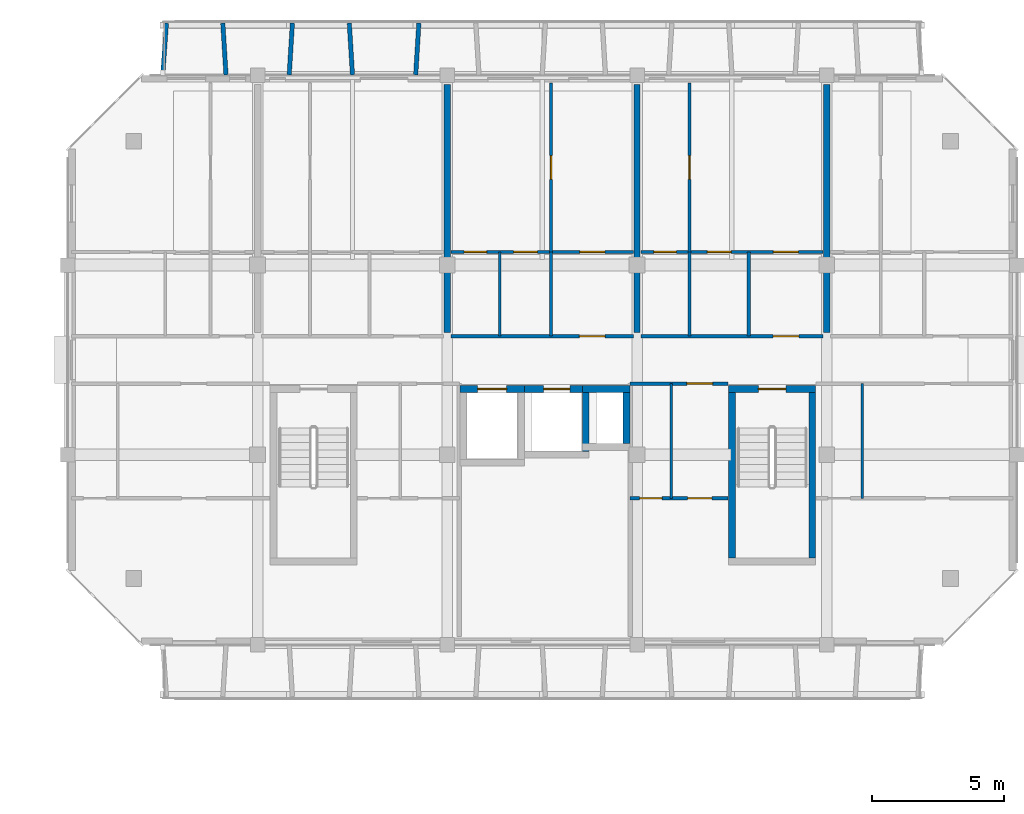
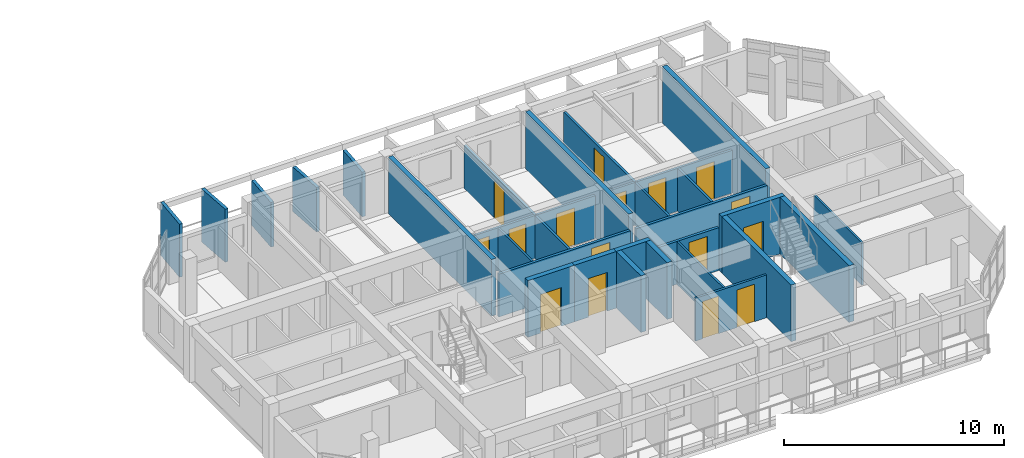
# One storey, part 34 of 51: 30 walls, 16 doors, 16 openings.
"""IFC4 building model written with IfcOpenShell, lengths in metres."""

from ifc_helpers import new_model, si_unit, direction, frame, frame_2d, origin, place, context, subcontext, project, spatial, rectangle, extrude, material, layer, layer_set, type_object, element, fill, save


model = new_model("IFC4")

# Units and contexts
model_context = context("Model", 3, precision=1e-05, world=origin(), true_north=direction((0.0, 1.0)))
body_context = subcontext(model_context, "Body", "Model", "MODEL_VIEW")
ifc_project = project(units=[si_unit("LENGTHUNIT", "METRE"), si_unit("AREAUNIT", "SQUARE_METRE"), si_unit("VOLUMEUNIT", "CUBIC_METRE"), si_unit("PLANEANGLEUNIT", "RADIAN"), si_unit("MASSUNIT", "GRAM", prefix="KILO")], contexts=[model_context])

# Site, building, storey
site_placement = place(None, origin())
site = spatial("IfcSite", under=ifc_project, at=site_placement, CompositionType="ELEMENT")
building_placement = place(site_placement, origin())
building = spatial("IfcBuilding", under=site, at=building_placement, Name="Ochrevale Crest", CompositionType="ELEMENT")
storey_placement = place(building_placement, frame((0.0, 0.0, 11.85009765625)))
storey = spatial("IfcBuildingStorey", under=building, at=storey_placement, Name="L03", CompositionType="ELEMENT", Elevation=11.85009765625)

# Wall, opening, door
ifc_material_1 = material(Name="Gypsum plasterboard", Category="gypsum")
ifc_layer_1 = layer(ifc_material_1, 0.139892578125)
ifc_layer_set_1 = layer_set([ifc_layer_1], Name="Gypsum plasterboard")
wall_type_1 = type_object("IfcWallType", Name="WL-COR-140", PredefinedType="PARTITIONING", material=ifc_layer_set_1)
wall_1_placement = place(storey_placement, frame((144.139892578125, 83.699951171875, 0.0), z_axis=(0.0, 0.0, 1.0), x_axis=(1.0, 0.0, 0.0)))
wall_1 = element("IfcWall", 1, at=wall_1_placement, inside=storey, type_object=wall_type_1, Name="Apartment D-L03-U3 corridor wall", PredefinedType="PARTITIONING", context=body_context, shape_type="SweptSolid", body=[
    extrude(rectangle(XDim=6.920166015625, YDim=0.139892578125, at=frame_2d((3.4599609375, 0.0))), origin(), (0.0, 0.0, 1.0), 2.3798828125),
])
opening_1_placement = place(wall_1_placement, frame((5.85009765625, 0.0, 0.0), z_axis=(0.0, 0.0, 1.0), x_axis=(-1.0, 0.0, 0.0)))
opening_1 = element("IfcOpeningElement", 2, at=opening_1_placement, cuts=wall_1, Name="Opening FD01", PredefinedType="OPENING", context=body_context, shape_type="SweptSolid", body=[
    extrude(rectangle(XDim=0.97998046875, YDim=2.10009765625, at=frame_2d((0.489990234375, 1.050048828125))), frame((0.0, 0.080078125, 0.0), z_axis=(0.0, -1.0, 0.0), x_axis=(1.0, 0.0, 0.0)), (0.0, 0.0, 1.0), 0.159912109375),
])
ifc_material_2 = material(Name="Solid-core FSC hardwood", Category="wood")
door_type_1 = type_object("IfcDoorType", Name="DR-APT-950", OperationType="NOTDEFINED", PredefinedType="DOOR", material=ifc_material_2)
door_1_placement = place(opening_1_placement, origin())
door_1 = element("IfcDoor", 3, at=door_1_placement, inside=storey, type_object=door_type_1, Name="Apartment D-L03-U3 entrance door", OperationType="SINGLE_SWING_RIGHT", OverallHeight=2.10009765625, OverallWidth=0.97998046875, PredefinedType="DOOR", context=body_context, shape_type="SweptSolid", body=[
    extrude(rectangle(XDim=0.97998046875, YDim=2.10009765625, at=frame_2d((0.489990234375, 1.050048828125))), frame((0.0, 0.02490234375, 0.0), z_axis=(0.0, -1.0, 0.0), x_axis=(1.0, 0.0, 0.0)), (0.0, 0.0, 1.0), 0.050048828125),
])
fill(opening_1, door_1)

wall_2_placement = place(storey_placement, frame((151.340087890625, 83.699951171875, 0.0), z_axis=(0.0, 0.0, 1.0), x_axis=(1.0, 0.0, 0.0)))
wall_2 = element("IfcWall", 4, at=wall_2_placement, inside=storey, type_object=wall_type_1, Name="Apartment D-L03-U4 corridor wall", PredefinedType="PARTITIONING", context=body_context, shape_type="SweptSolid", body=[
    extrude(rectangle(XDim=6.919921875, YDim=0.139892578125, at=frame_2d((3.4599609375, 0.0))), origin(), (0.0, 0.0, 1.0), 2.3798828125),
])
opening_2_placement = place(wall_2_placement, frame((5.02001953125, 0.0, 0.0)))
opening_2 = element("IfcOpeningElement", 5, at=opening_2_placement, cuts=wall_2, Name="Opening FD01", PredefinedType="OPENING", context=body_context, shape_type="SweptSolid", body=[
    extrude(rectangle(XDim=0.97998046875, YDim=2.10009765625, at=frame_2d((0.489990234375, 1.050048828125))), frame((0.0, 0.080078125, 0.0), z_axis=(0.0, -1.0, 0.0), x_axis=(1.0, 0.0, 0.0)), (0.0, 0.0, 1.0), 0.159912109375),
])
door_2_placement = place(opening_2_placement, origin())
door_2 = element("IfcDoor", 6, at=door_2_placement, inside=storey, type_object=door_type_1, Name="Apartment D-L03-U4 entrance door", OperationType="SINGLE_SWING_LEFT", OverallHeight=2.10009765625, OverallWidth=0.97998046875, PredefinedType="DOOR", context=body_context, shape_type="SweptSolid", body=[
    extrude(rectangle(XDim=0.97998046875, YDim=2.10009765625, at=frame_2d((0.489990234375, 1.050048828125))), frame((0.0, 0.02490234375, 0.0), z_axis=(0.0, -1.0, 0.0), x_axis=(1.0, 0.0, 0.0)), (0.0, 0.0, 1.0), 0.050048828125),
])
fill(opening_2, door_2)

wall_3_placement = place(storey_placement, frame((150.93994140625, 81.89990234375, 0.0), z_axis=(0.0, 0.0, 1.0), x_axis=(1.0, 0.0, 0.0)))
wall_3 = element("IfcWall", 7, at=wall_3_placement, inside=storey, type_object=wall_type_1, Name="Suite D-L03-ME corridor wall", PredefinedType="PARTITIONING", context=body_context, shape_type="SweptSolid", body=[
    extrude(rectangle(XDim=3.719970703125, YDim=0.139892578125, at=frame_2d((1.85986328125, 0.0))), origin(), (0.0, 0.0, 1.0), 2.3798828125),
])
opening_3_placement = place(wall_3_placement, frame((2.151123046875, 0.0, 0.0)))
opening_3 = element("IfcOpeningElement", 8, at=opening_3_placement, cuts=wall_3, Name="Opening FD01", PredefinedType="OPENING", context=body_context, shape_type="SweptSolid", body=[
    extrude(rectangle(XDim=0.97998046875, YDim=2.10009765625, at=frame_2d((0.489990234375, 1.050048828125))), frame((0.0, 0.080078125, 0.0), z_axis=(0.0, -1.0, 0.0), x_axis=(1.0, 0.0, 0.0)), (0.0, 0.0, 1.0), 0.159912109375),
])
door_3_placement = place(opening_3_placement, origin())
door_3 = element("IfcDoor", 9, at=door_3_placement, inside=storey, type_object=door_type_1, Name="Suite D-L03-ME entrance door", OperationType="SINGLE_SWING_LEFT", OverallHeight=2.10009765625, OverallWidth=0.97998046875, PredefinedType="DOOR", context=body_context, shape_type="SweptSolid", body=[
    extrude(rectangle(XDim=0.97998046875, YDim=2.10009765625, at=frame_2d((0.489990234375, 1.050048828125))), frame((0.0, 0.02490234375, 0.0), z_axis=(0.0, -1.0, 0.0), x_axis=(1.0, 0.0, 0.0)), (0.0, 0.0, 1.0), 0.050048828125),
])
fill(opening_3, door_3)

ifc_material_3 = material(Name="Precast concrete C50/60", Category="concrete")
ifc_layer_2 = layer(ifc_material_3, 0.2548828125)
ifc_layer_set_2 = layer_set([ifc_layer_2], Name="Precast concrete C50/60")
wall_type_2 = type_object("IfcWallType", Name="WL-CORE-255", PredefinedType="SHEAR", material=ifc_layer_set_2)
wall_4_placement = place(storey_placement, frame((154.672607421875, 81.699951171875, 0.0), z_axis=(0.0, 0.0, 1.0), x_axis=(1.0, 0.0, 0.0)))
wall_4 = element("IfcWall", 10, at=wall_4_placement, inside=storey, type_object=wall_type_2, Name="Block D L03 Stair 2 precast core shear wall N", PredefinedType="SHEAR", context=body_context, shape_type="SweptSolid", body=[
    extrude(rectangle(XDim=3.304931640625, YDim=0.2548828125, at=frame_2d((1.65234375, 0.0))), origin(), (0.0, 0.0, 1.0), 3.14990234375),
])
opening_4_placement = place(wall_4_placement, frame((1.12744140625, 0.0, 0.0)))
opening_4 = element("IfcOpeningElement", 11, at=opening_4_placement, cuts=wall_4, Name="Opening FD03", PredefinedType="OPENING", context=body_context, shape_type="SweptSolid", body=[
    extrude(rectangle(XDim=1.050048828125, YDim=2.1201171875, at=frame_2d((0.52490234375, 1.06005859375))), frame((0.0, 0.137451171875, 0.0), z_axis=(0.0, -1.0, 0.0), x_axis=(1.0, 0.0, 0.0)), (0.0, 0.0, 1.0), 0.27490234375),
])
door_type_2 = type_object("IfcDoorType", Name="DR-ST-1050", OperationType="NOTDEFINED", PredefinedType="DOOR", material=ifc_material_2)
door_4_placement = place(opening_4_placement, origin())
door_4 = element("IfcDoor", 12, at=door_4_placement, inside=storey, type_object=door_type_2, Name="Block D L03 fire stair 2 door", OperationType="SINGLE_SWING_LEFT", OverallHeight=2.1201171875, OverallWidth=1.050048828125, PredefinedType="DOOR", context=body_context, shape_type="SweptSolid", body=[
    extrude(rectangle(XDim=1.050048828125, YDim=2.1201171875, at=frame_2d((0.52490234375, 1.06005859375))), frame((0.0, 0.02490234375, 0.0), z_axis=(0.0, -1.0, 0.0), x_axis=(1.0, 0.0, 0.0)), (0.0, 0.0, 1.0), 0.050048828125),
])
fill(opening_4, door_4)

# Walls
for number, where, z_axis, x_axis, name in (
    (13, (154.800048828125, 75.277587890625, 0.0), (0.0, 0.0, 1.0), (0.0, 1.0, 0.0), "Block D L03 Stair 2 precast core shear wall W"),
    (14, (157.85009765625, 75.277587890625, 0.0), (0.0, 0.0, 1.0), (0.0, 1.0, 0.0), "Block D L03 Stair 2 precast core shear wall E"),
):
    element("IfcWall", number, at=place(storey_placement, frame(where, z_axis=z_axis, x_axis=x_axis)), inside=storey, type_object=wall_type_2, Name=name, PredefinedType="SHEAR", context=body_context, shape_type="SweptSolid", body=[
        extrude(rectangle(XDim=6.294921875, YDim=0.2548828125, at=frame_2d((3.1474609375, 0.0))), origin(), (0.0, 0.0, 1.0), 3.14990234375),
    ])

# Wall, opening, door
wall_5_placement = place(storey_placement, frame((144.472412109375, 81.699951171875, 0.0), z_axis=(0.0, 0.0, 1.0), x_axis=(1.0, 0.0, 0.0)))
wall_5 = element("IfcWall", 15, at=wall_5_placement, inside=storey, type_object=wall_type_2, Name="Block D L03 Lift 1 precast shaft shear wall N", PredefinedType="SHEAR", context=body_context, shape_type="SweptSolid", body=[
    extrude(rectangle(XDim=2.455078125, YDim=0.2548828125, at=frame_2d((1.2275390625, 0.0))), origin(), (0.0, 0.0, 1.0), 3.14990234375),
])
opening_5_placement = place(wall_5_placement, frame((0.677490234375, 0.0, 0.0)))
opening_5 = element("IfcOpeningElement", 16, at=opening_5_placement, cuts=wall_5, Name="Opening LD01", PredefinedType="OPENING", context=body_context, shape_type="SweptSolid", body=[
    extrude(rectangle(XDim=1.10009765625, YDim=2.14990234375, at=frame_2d((0.550048828125, 1.074951171875))), frame((0.0, 0.137451171875, 0.0), z_axis=(0.0, -1.0, 0.0), x_axis=(1.0, 0.0, 0.0)), (0.0, 0.0, 1.0), 0.27490234375),
])
door_type_3 = type_object("IfcDoorType", Name="DR-LIFT-1100", OperationType="NOTDEFINED", PredefinedType="DOOR", material=ifc_material_2)
door_5_placement = place(opening_5_placement, origin())
door_5 = element("IfcDoor", 17, at=door_5_placement, inside=storey, type_object=door_type_3, Name="Lift LF-D1 L03 sliding landing door", OperationType="SLIDING_TO_LEFT", OverallHeight=2.14990234375, OverallWidth=1.10009765625, PredefinedType="DOOR", context=body_context, shape_type="SweptSolid", body=[
    extrude(rectangle(XDim=1.10009765625, YDim=2.14990234375, at=frame_2d((0.550048828125, 1.074951171875))), frame((0.0, 0.02490234375, 0.0), z_axis=(0.0, -1.0, 0.0), x_axis=(1.0, 0.0, 0.0)), (0.0, 0.0, 1.0), 0.050048828125),
])
fill(opening_5, door_5)

wall_6_placement = place(storey_placement, frame((146.922607421875, 81.699951171875, 0.0), z_axis=(0.0, 0.0, 1.0), x_axis=(1.0, 0.0, 0.0)))
wall_6 = element("IfcWall", 18, at=wall_6_placement, inside=storey, type_object=wall_type_2, Name="Block D L03 Lift 2 precast shaft shear wall N", PredefinedType="SHEAR", context=body_context, shape_type="SweptSolid", body=[
    extrude(rectangle(XDim=2.454833984375, YDim=0.2548828125, at=frame_2d((1.2275390625, 0.0))), origin(), (0.0, 0.0, 1.0), 3.14990234375),
])
opening_6_placement = place(wall_6_placement, frame((0.7275390625, 0.0, 0.0)))
opening_6 = element("IfcOpeningElement", 19, at=opening_6_placement, cuts=wall_6, Name="Opening LD02", PredefinedType="OPENING", context=body_context, shape_type="SweptSolid", body=[
    extrude(rectangle(XDim=1.0, YDim=2.14990234375, at=frame_2d((0.5, 1.074951171875))), frame((0.0, 0.137451171875, 0.0), z_axis=(0.0, -1.0, 0.0), x_axis=(1.0, 0.0, 0.0)), (0.0, 0.0, 1.0), 0.27490234375),
])
door_type_4 = type_object("IfcDoorType", Name="DR-LIFT-1000", OperationType="NOTDEFINED", PredefinedType="DOOR", material=ifc_material_2)
door_6_placement = place(opening_6_placement, origin())
door_6 = element("IfcDoor", 20, at=door_6_placement, inside=storey, type_object=door_type_4, Name="Lift LP-D2 L03 sliding landing door", OperationType="SLIDING_TO_RIGHT", OverallHeight=2.14990234375, OverallWidth=1.0, PredefinedType="DOOR", context=body_context, shape_type="SweptSolid", body=[
    extrude(rectangle(XDim=1.0, YDim=2.14990234375, at=frame_2d((0.5, 1.074951171875))), frame((0.0, 0.02490234375, 0.0), z_axis=(0.0, -1.0, 0.0), x_axis=(1.0, 0.0, 0.0)), (0.0, 0.0, 1.0), 0.050048828125),
])
fill(opening_6, door_6)

# Walls
wall_7_placement = place(storey_placement, frame((149.25, 79.327392578125, 0.0), z_axis=(0.0, 0.0, 1.0), x_axis=(0.0, 1.0, 0.0)))
element("IfcWall", 21, at=wall_7_placement, inside=storey, type_object=wall_type_2, Name="Block D L03 Lift 2 precast shaft shear wall E", PredefinedType="SHEAR", context=body_context, shape_type="SweptSolid", body=[
    extrude(rectangle(XDim=2.2451171875, YDim=0.2548828125, at=frame_2d((1.12255859375, 0.0))), origin(), (0.0, 0.0, 1.0), 3.14990234375),
])
wall_8_placement = place(storey_placement, frame((149.12255859375, 81.699951171875, 0.0), z_axis=(0.0, 0.0, 1.0), x_axis=(1.0, 0.0, 0.0)))
element("IfcWall", 22, at=wall_8_placement, inside=storey, type_object=wall_type_2, Name="Block D L03 services riser shaft core wall N", PredefinedType="SHEAR", context=body_context, shape_type="SweptSolid", body=[
    extrude(rectangle(XDim=1.804931640625, YDim=0.2548828125, at=frame_2d((0.90234375, 0.0))), origin(), (0.0, 0.0, 1.0), 3.14990234375),
])
wall_9_placement = place(storey_placement, frame((150.800048828125, 79.62744140625, 0.0), z_axis=(0.0, 0.0, 1.0), x_axis=(0.0, 1.0, 0.0)))
element("IfcWall", 23, at=wall_9_placement, inside=storey, type_object=wall_type_2, Name="Block D L03 services riser shaft core wall E", PredefinedType="SHEAR", context=body_context, shape_type="SweptSolid", body=[
    extrude(rectangle(XDim=1.945068359375, YDim=0.2548828125, at=frame_2d((0.97265625, 0.0))), origin(), (0.0, 0.0, 1.0), 3.14990234375),
])
ifc_material_4 = material(Name="Precast concrete C40/50", Category="concrete")
ifc_layer_3 = layer(ifc_material_4, 0.1650390625)
ifc_layer_set_3 = layer_set([ifc_layer_3], Name="Precast concrete C40/50")
wall_type_3 = type_object("IfcWallType", Name="WL-HC-CHEEK-165", PredefinedType="ELEMENTEDWALL", material=ifc_layer_set_3)
wall_10_placement = place(storey_placement, frame((133.199951171875, 93.6201171875, 0.0), z_axis=(0.0, 0.0, 1.0), x_axis=(0.071317687608, 0.997453651772, 0.0)))
element("IfcWall", 24, at=wall_10_placement, inside=storey, type_object=wall_type_3, Name="Block D L03 N precast honeycomb cheek 1", PredefinedType="ELEMENTEDWALL", context=body_context, shape_type="SweptSolid", body=[
    extrude(rectangle(XDim=1.96484375, YDim=0.1650390625, at=frame_2d((0.982421875, 0.0))), origin(), (0.0, 0.0, 1.0), 2.949951171875),
])
wall_11_placement = place(storey_placement, frame((135.60009765625, 93.6201171875, 0.0), z_axis=(0.0, 0.0, 1.0), x_axis=(-0.061170732449, 0.998127317276, 0.0)))
element("IfcWall", 25, at=wall_11_placement, inside=storey, type_object=wall_type_3, Name="Block D L03 N precast honeycomb cheek 2", PredefinedType="ELEMENTEDWALL", context=body_context, shape_type="SweptSolid", body=[
    extrude(rectangle(XDim=1.963623046875, YDim=0.1650390625, at=frame_2d((0.98193359375, 0.0))), origin(), (0.0, 0.0, 1.0), 2.949951171875),
])
for number, where, z_axis, x_axis, name in (
    (26, (138.0, 93.6201171875, 0.0), (0.0, 0.0, 1.0), (0.061170732449, 0.998127317276, 0.0), "Block D L03 N precast honeycomb cheek 3"),
    (27, (140.39990234375, 93.6201171875, 0.0), (0.0, 0.0, 1.0), (-0.061046865508, 0.998134900808, 0.0), "Block D L03 N precast honeycomb cheek 4"),
    (28, (142.800048828125, 93.6201171875, 0.0), (0.0, 0.0, 1.0), (0.061046865508, 0.998134900808, 0.0), "Block D L03 N precast honeycomb cheek 5"),
):
    element("IfcWall", number, at=place(storey_placement, frame(where, z_axis=z_axis, x_axis=x_axis)), inside=storey, type_object=wall_type_3, Name=name, PredefinedType="ELEMENTEDWALL", context=body_context, shape_type="SweptSolid", body=[
        extrude(rectangle(XDim=1.963623046875, YDim=0.1650390625, at=frame_2d((0.98193359375, 0.0))), origin(), (0.0, 0.0, 1.0), 2.47998046875),
    ])
ifc_layer_4 = layer(ifc_material_1, 0.1201171875)
ifc_layer_set_4 = layer_set([ifc_layer_4], Name="Gypsum plasterboard")
wall_type_4 = type_object("IfcWallType", Name="WL-PART-120", PredefinedType="PARTITIONING", material=ifc_layer_set_4)
wall_12_placement = place(storey_placement, frame((147.93994140625, 83.699951171875, 0.0), z_axis=(0.0, 0.0, 1.0), x_axis=(0.0, 1.0, 0.0)))
element("IfcWall", 29, at=wall_12_placement, inside=storey, type_object=wall_type_4, Name="Apartment D-L03-U3 kitchen-foyer wall", PredefinedType="PARTITIONING", context=body_context, shape_type="SweptSolid", body=[
    extrude(rectangle(XDim=3.199951171875, YDim=0.1201171875, at=frame_2d((1.60009765625, 0.0))), origin(), (0.0, 0.0, 1.0), 2.375),
])

# Wall, openings, doors
wall_13_placement = place(storey_placement, frame((144.139892578125, 86.89990234375, 0.0), z_axis=(0.0, 0.0, 1.0), x_axis=(1.0, 0.0, 0.0)))
wall_13 = element("IfcWall", 30, at=wall_13_placement, inside=storey, type_object=wall_type_4, Name="Apartment D-L03-U3 central partition", PredefinedType="PARTITIONING", context=body_context, shape_type="SweptSolid", body=[
    extrude(rectangle(XDim=6.920166015625, YDim=0.1201171875, at=frame_2d((3.4599609375, 0.0))), origin(), (0.0, 0.0, 1.0), 2.3798828125),
])
opening_7_placement = place(wall_13_placement, frame((0.5, 0.0, 0.0)))
opening_7 = element("IfcOpeningElement", 31, at=opening_7_placement, cuts=wall_13, Name="Opening ID01", PredefinedType="OPENING", context=body_context, shape_type="SweptSolid", body=[
    extrude(rectangle(XDim=0.85009765625, YDim=2.080078125, at=frame_2d((0.425048828125, 1.0400390625))), frame((0.0, 0.070068359375, 0.0), z_axis=(0.0, -1.0, 0.0), x_axis=(1.0, 0.0, 0.0)), (0.0, 0.0, 1.0), 0.14013671875),
])
opening_8_placement = place(wall_13_placement, frame((3.27490234375, 0.0, 0.0), z_axis=(0.0, 0.0, 1.0), x_axis=(-1.0, 0.0, 0.0)))
opening_8 = element("IfcOpeningElement", 32, at=opening_8_placement, cuts=wall_13, Name="Opening ID02", PredefinedType="OPENING", context=body_context, shape_type="SweptSolid", body=[
    extrude(rectangle(XDim=0.89990234375, YDim=2.080078125, at=frame_2d((0.449951171875, 1.0400390625))), frame((0.0, 0.070068359375, 0.0), z_axis=(0.0, -1.0, 0.0), x_axis=(1.0, 0.0, 0.0)), (0.0, 0.0, 1.0), 0.14013671875),
])
opening_9_placement = place(wall_13_placement, frame((4.885009765625, 0.0, 0.0)))
opening_9 = element("IfcOpeningElement", 33, at=opening_9_placement, cuts=wall_13, Name="Opening ID06", PredefinedType="OPENING", context=body_context, shape_type="SweptSolid", body=[
    extrude(rectangle(XDim=0.949951171875, YDim=2.080078125, at=frame_2d((0.47509765625, 1.0400390625))), frame((0.0, 0.070068359375, 0.0), z_axis=(0.0, -1.0, 0.0), x_axis=(1.0, 0.0, 0.0)), (0.0, 0.0, 1.0), 0.14013671875),
])
door_type_5 = type_object("IfcDoorType", Name="DR-INT-900", OperationType="NOTDEFINED", PredefinedType="DOOR", material=ifc_material_2)
door_7_placement = place(opening_8_placement, origin())
door_7 = element("IfcDoor", 34, at=door_7_placement, inside=storey, type_object=door_type_5, Name="Apartment D-L03-U3 Kitchen door", OperationType="SINGLE_SWING_RIGHT", OverallHeight=2.080078125, OverallWidth=0.89990234375, PredefinedType="DOOR", context=body_context, shape_type="SweptSolid", body=[
    extrude(rectangle(XDim=0.89990234375, YDim=2.080078125, at=frame_2d((0.449951171875, 1.0400390625))), frame((0.0, 0.02490234375, 0.0), z_axis=(0.0, -1.0, 0.0), x_axis=(1.0, 0.0, 0.0)), (0.0, 0.0, 1.0), 0.050048828125),
])
fill(opening_8, door_7)
door_type_6 = type_object("IfcDoorType", Name="DR-INT-950", OperationType="NOTDEFINED", PredefinedType="DOOR", material=ifc_material_2)
door_8_placement = place(opening_9_placement, origin())
door_8 = element("IfcDoor", 35, at=door_8_placement, inside=storey, type_object=door_type_6, Name="Apartment D-L03-U3 Living Foyer door", OperationType="SINGLE_SWING_LEFT", OverallHeight=2.080078125, OverallWidth=0.949951171875, PredefinedType="DOOR", context=body_context, shape_type="SweptSolid", body=[
    extrude(rectangle(XDim=0.949951171875, YDim=2.080078125, at=frame_2d((0.47509765625, 1.0400390625))), frame((0.0, 0.02490234375, 0.0), z_axis=(0.0, -1.0, 0.0), x_axis=(1.0, 0.0, 0.0)), (0.0, 0.0, 1.0), 0.050048828125),
])
fill(opening_9, door_8)
door_type_7 = type_object("IfcDoorType", Name="DR-WC-850", OperationType="NOTDEFINED", PredefinedType="DOOR", material=ifc_material_2)
door_9_placement = place(opening_7_placement, origin())
door_9 = element("IfcDoor", 36, at=door_9_placement, inside=storey, type_object=door_type_7, Name="Apartment D-L03-U3 Bathroom door", OperationType="SINGLE_SWING_LEFT", OverallHeight=2.080078125, OverallWidth=0.85009765625, PredefinedType="DOOR", context=body_context, shape_type="SweptSolid", body=[
    extrude(rectangle(XDim=0.85009765625, YDim=2.080078125, at=frame_2d((0.425048828125, 1.0400390625))), frame((0.0, 0.02490234375, 0.0), z_axis=(0.0, -1.0, 0.0), x_axis=(1.0, 0.0, 0.0)), (0.0, 0.0, 1.0), 0.050048828125),
])
fill(opening_7, door_9)

# Wall, opening, door
wall_14_placement = place(storey_placement, frame((147.93994140625, 86.89990234375, 0.0), z_axis=(0.0, 0.0, 1.0), x_axis=(0.0, 1.0, 0.0)))
wall_14 = element("IfcWall", 37, at=wall_14_placement, inside=storey, type_object=wall_type_4, Name="Apartment D-L03-U3 bedroom partition", PredefinedType="PARTITIONING", context=body_context, shape_type="SweptSolid", body=[
    extrude(rectangle(XDim=6.400146484375, YDim=0.1201171875, at=frame_2d((3.2001953125, 0.0))), origin(), (0.0, 0.0, 1.0), 2.3798828125),
])
opening_10_placement = place(wall_14_placement, frame((3.64990234375, 0.0, 0.0), z_axis=(0.0, 0.0, 1.0), x_axis=(-1.0, 0.0, 0.0)))
opening_10 = element("IfcOpeningElement", 38, at=opening_10_placement, cuts=wall_14, Name="Opening ID02", PredefinedType="OPENING", context=body_context, shape_type="SweptSolid", body=[
    extrude(rectangle(XDim=0.89990234375, YDim=2.080078125, at=frame_2d((0.449951171875, 1.0400390625))), frame((0.0, 0.070068359375, 0.0), z_axis=(0.0, -1.0, 0.0), x_axis=(1.0, 0.0, 0.0)), (0.0, 0.0, 1.0), 0.14013671875),
])
door_10_placement = place(opening_10_placement, origin())
door_10 = element("IfcDoor", 39, at=door_10_placement, inside=storey, type_object=door_type_5, Name="Apartment D-L03-U3 Double Bedroom door", OperationType="SINGLE_SWING_RIGHT", OverallHeight=2.080078125, OverallWidth=0.89990234375, PredefinedType="DOOR", context=body_context, shape_type="SweptSolid", body=[
    extrude(rectangle(XDim=0.89990234375, YDim=2.080078125, at=frame_2d((0.449951171875, 1.0400390625))), frame((0.0, 0.02490234375, 0.0), z_axis=(0.0, -1.0, 0.0), x_axis=(1.0, 0.0, 0.0)), (0.0, 0.0, 1.0), 0.050048828125),
])
fill(opening_10, door_10)

# Wall
wall_15_placement = place(storey_placement, frame((155.43994140625, 83.699951171875, 0.0), z_axis=(0.0, 0.0, 1.0), x_axis=(0.0, 1.0, 0.0)))
element("IfcWall", 40, at=wall_15_placement, inside=storey, type_object=wall_type_4, Name="Apartment D-L03-U4 kitchen-foyer wall", PredefinedType="PARTITIONING", context=body_context, shape_type="SweptSolid", body=[
    extrude(rectangle(XDim=3.199951171875, YDim=0.1201171875, at=frame_2d((1.60009765625, 0.0))), origin(), (0.0, 0.0, 1.0), 2.375),
])

# Wall, openings, doors
wall_16_placement = place(storey_placement, frame((151.340087890625, 86.89990234375, 0.0), z_axis=(0.0, 0.0, 1.0), x_axis=(1.0, 0.0, 0.0)))
wall_16 = element("IfcWall", 41, at=wall_16_placement, inside=storey, type_object=wall_type_4, Name="Apartment D-L03-U4 central partition", PredefinedType="PARTITIONING", context=body_context, shape_type="SweptSolid", body=[
    extrude(rectangle(XDim=6.919921875, YDim=0.1201171875, at=frame_2d((3.4599609375, 0.0))), origin(), (0.0, 0.0, 1.0), 2.3798828125),
])
opening_11_placement = place(wall_16_placement, frame((1.35009765625, 0.0, 0.0), z_axis=(0.0, 0.0, 1.0), x_axis=(-1.0, 0.0, 0.0)))
opening_11 = element("IfcOpeningElement", 42, at=opening_11_placement, cuts=wall_16, Name="Opening ID01", PredefinedType="OPENING", context=body_context, shape_type="SweptSolid", body=[
    extrude(rectangle(XDim=0.85009765625, YDim=2.080078125, at=frame_2d((0.425048828125, 1.0400390625))), frame((0.0, 0.070068359375, 0.0), z_axis=(0.0, -1.0, 0.0), x_axis=(1.0, 0.0, 0.0)), (0.0, 0.0, 1.0), 0.14013671875),
])
opening_12_placement = place(wall_16_placement, frame((2.52490234375, 0.0, 0.0)))
opening_12 = element("IfcOpeningElement", 43, at=opening_12_placement, cuts=wall_16, Name="Opening ID02", PredefinedType="OPENING", context=body_context, shape_type="SweptSolid", body=[
    extrude(rectangle(XDim=0.89990234375, YDim=2.080078125, at=frame_2d((0.449951171875, 1.0400390625))), frame((0.0, 0.070068359375, 0.0), z_axis=(0.0, -1.0, 0.0), x_axis=(1.0, 0.0, 0.0)), (0.0, 0.0, 1.0), 0.14013671875),
])
opening_13_placement = place(wall_16_placement, frame((5.98486328125, 0.0, 0.0), z_axis=(0.0, 0.0, 1.0), x_axis=(-1.0, 0.0, 0.0)))
opening_13 = element("IfcOpeningElement", 44, at=opening_13_placement, cuts=wall_16, Name="Opening ID06", PredefinedType="OPENING", context=body_context, shape_type="SweptSolid", body=[
    extrude(rectangle(XDim=0.949951171875, YDim=2.080078125, at=frame_2d((0.47509765625, 1.0400390625))), frame((0.0, 0.070068359375, 0.0), z_axis=(0.0, -1.0, 0.0), x_axis=(1.0, 0.0, 0.0)), (0.0, 0.0, 1.0), 0.14013671875),
])
door_11_placement = place(opening_12_placement, origin())
door_11 = element("IfcDoor", 45, at=door_11_placement, inside=storey, type_object=door_type_5, Name="Apartment D-L03-U4 Kitchen door", OperationType="SINGLE_SWING_LEFT", OverallHeight=2.080078125, OverallWidth=0.89990234375, PredefinedType="DOOR", context=body_context, shape_type="SweptSolid", body=[
    extrude(rectangle(XDim=0.89990234375, YDim=2.080078125, at=frame_2d((0.449951171875, 1.0400390625))), frame((0.0, 0.02490234375, 0.0), z_axis=(0.0, -1.0, 0.0), x_axis=(1.0, 0.0, 0.0)), (0.0, 0.0, 1.0), 0.050048828125),
])
fill(opening_12, door_11)
door_12_placement = place(opening_13_placement, origin())
door_12 = element("IfcDoor", 46, at=door_12_placement, inside=storey, type_object=door_type_6, Name="Apartment D-L03-U4 Living Foyer door", OperationType="SINGLE_SWING_RIGHT", OverallHeight=2.080078125, OverallWidth=0.949951171875, PredefinedType="DOOR", context=body_context, shape_type="SweptSolid", body=[
    extrude(rectangle(XDim=0.949951171875, YDim=2.080078125, at=frame_2d((0.47509765625, 1.0400390625))), frame((0.0, 0.02490234375, 0.0), z_axis=(0.0, -1.0, 0.0), x_axis=(1.0, 0.0, 0.0)), (0.0, 0.0, 1.0), 0.050048828125),
])
fill(opening_13, door_12)
door_13_placement = place(opening_11_placement, origin())
door_13 = element("IfcDoor", 47, at=door_13_placement, inside=storey, type_object=door_type_7, Name="Apartment D-L03-U4 Bathroom door", OperationType="SINGLE_SWING_RIGHT", OverallHeight=2.080078125, OverallWidth=0.85009765625, PredefinedType="DOOR", context=body_context, shape_type="SweptSolid", body=[
    extrude(rectangle(XDim=0.85009765625, YDim=2.080078125, at=frame_2d((0.425048828125, 1.0400390625))), frame((0.0, 0.02490234375, 0.0), z_axis=(0.0, -1.0, 0.0), x_axis=(1.0, 0.0, 0.0)), (0.0, 0.0, 1.0), 0.050048828125),
])
fill(opening_11, door_13)

# Wall, opening, door
wall_17_placement = place(storey_placement, frame((153.18994140625, 86.89990234375, 0.0), z_axis=(0.0, 0.0, 1.0), x_axis=(0.0, 1.0, 0.0)))
wall_17 = element("IfcWall", 48, at=wall_17_placement, inside=storey, type_object=wall_type_4, Name="Apartment D-L03-U4 bedroom partition", PredefinedType="PARTITIONING", context=body_context, shape_type="SweptSolid", body=[
    extrude(rectangle(XDim=6.400146484375, YDim=0.1201171875, at=frame_2d((3.2001953125, 0.0))), origin(), (0.0, 0.0, 1.0), 2.3798828125),
])
opening_14_placement = place(wall_17_placement, frame((2.75, 0.0, 0.0)))
opening_14 = element("IfcOpeningElement", 49, at=opening_14_placement, cuts=wall_17, Name="Opening ID02", PredefinedType="OPENING", context=body_context, shape_type="SweptSolid", body=[
    extrude(rectangle(XDim=0.89990234375, YDim=2.080078125, at=frame_2d((0.449951171875, 1.0400390625))), frame((0.0, 0.070068359375, 0.0), z_axis=(0.0, -1.0, 0.0), x_axis=(1.0, 0.0, 0.0)), (0.0, 0.0, 1.0), 0.14013671875),
])
door_14_placement = place(opening_14_placement, origin())
door_14 = element("IfcDoor", 50, at=door_14_placement, inside=storey, type_object=door_type_5, Name="Apartment D-L03-U4 Master Bedroom door", OperationType="SINGLE_SWING_LEFT", OverallHeight=2.080078125, OverallWidth=0.89990234375, PredefinedType="DOOR", context=body_context, shape_type="SweptSolid", body=[
    extrude(rectangle(XDim=0.89990234375, YDim=2.080078125, at=frame_2d((0.449951171875, 1.0400390625))), frame((0.0, 0.02490234375, 0.0), z_axis=(0.0, -1.0, 0.0), x_axis=(1.0, 0.0, 0.0)), (0.0, 0.0, 1.0), 0.050048828125),
])
fill(opening_14, door_14)

# Wall, openings, doors
wall_18_placement = place(storey_placement, frame((150.93994140625, 77.550048828125, 0.0), z_axis=(0.0, 0.0, 1.0), x_axis=(1.0, 0.0, 0.0)))
wall_18 = element("IfcWall", 51, at=wall_18_placement, inside=storey, type_object=wall_type_4, Name="Suite D-L03-ME internal wall", PredefinedType="PARTITIONING", context=body_context, shape_type="SweptSolid", body=[
    extrude(rectangle(XDim=3.719970703125, YDim=0.1201171875, at=frame_2d((1.85986328125, 0.0))), origin(), (0.0, 0.0, 1.0), 2.3798828125),
])
opening_15_placement = place(wall_18_placement, frame((1.206298828125, 0.0, 0.0), z_axis=(0.0, 0.0, 1.0), x_axis=(-1.0, 0.0, 0.0)))
opening_15 = element("IfcOpeningElement", 52, at=opening_15_placement, cuts=wall_18, Name="Opening ID01", PredefinedType="OPENING", context=body_context, shape_type="SweptSolid", body=[
    extrude(rectangle(XDim=0.85009765625, YDim=2.080078125, at=frame_2d((0.425048828125, 1.0400390625))), frame((0.0, 0.070068359375, 0.0), z_axis=(0.0, -1.0, 0.0), x_axis=(1.0, 0.0, 0.0)), (0.0, 0.0, 1.0), 0.14013671875),
])
opening_16_placement = place(wall_18_placement, frame((2.18115234375, 0.0, 0.0)))
opening_16 = element("IfcOpeningElement", 53, at=opening_16_placement, cuts=wall_18, Name="Opening ID04", PredefinedType="OPENING", context=body_context, shape_type="SweptSolid", body=[
    extrude(rectangle(XDim=0.919921875, YDim=2.080078125, at=frame_2d((0.4599609375, 1.0400390625))), frame((0.0, 0.070068359375, 0.0), z_axis=(0.0, -1.0, 0.0), x_axis=(1.0, 0.0, 0.0)), (0.0, 0.0, 1.0), 0.14013671875),
])
door_type_8 = type_object("IfcDoorType", Name="DR-INT-920", OperationType="NOTDEFINED", PredefinedType="DOOR", material=ifc_material_2)
door_15_placement = place(opening_16_placement, origin())
door_15 = element("IfcDoor", 54, at=door_15_placement, inside=storey, type_object=door_type_8, Name="Suite D-L03-ME Garden Alcove Studio door", OperationType="SINGLE_SWING_LEFT", OverallHeight=2.080078125, OverallWidth=0.919921875, PredefinedType="DOOR", context=body_context, shape_type="SweptSolid", body=[
    extrude(rectangle(XDim=0.919921875, YDim=2.080078125, at=frame_2d((0.4599609375, 1.0400390625))), frame((0.0, 0.02490234375, 0.0), z_axis=(0.0, -1.0, 0.0), x_axis=(1.0, 0.0, 0.0)), (0.0, 0.0, 1.0), 0.050048828125),
])
fill(opening_16, door_15)
door_16_placement = place(opening_15_placement, origin())
door_16 = element("IfcDoor", 55, at=door_16_placement, inside=storey, type_object=door_type_7, Name="Suite D-L03-ME Bathroom door", OperationType="SINGLE_SWING_RIGHT", OverallHeight=2.080078125, OverallWidth=0.85009765625, PredefinedType="DOOR", context=body_context, shape_type="SweptSolid", body=[
    extrude(rectangle(XDim=0.85009765625, YDim=2.080078125, at=frame_2d((0.425048828125, 1.0400390625))), frame((0.0, 0.02490234375, 0.0), z_axis=(0.0, -1.0, 0.0), x_axis=(1.0, 0.0, 0.0)), (0.0, 0.0, 1.0), 0.050048828125),
])
fill(opening_15, door_16)

# Walls
ifc_layer_5 = layer(ifc_material_3, 0.239990234375)
ifc_layer_set_5 = layer_set([ifc_layer_5], Name="Precast concrete C50/60")
wall_type_5 = type_object("IfcWallType", Name="WL-SHEAR-240", PredefinedType="SHEAR", material=ifc_layer_set_5)
for number, where, z_axis, x_axis, name in (
    (56, (144.0, 83.85009765625, 0.0), (0.0, 0.0, 1.0), (0.0, 1.0, 0.0), "Block D L03 load-bearing precast cross-wall X=144.0"),
    (57, (151.199951171875, 83.85009765625, 0.0), (0.0, 0.0, 1.0), (0.0, 1.0, 0.0), "Block D L03 load-bearing precast cross-wall X=151.2"),
    (58, (158.39990234375, 83.85009765625, 0.0), (0.0, 0.0, 1.0), (0.0, 1.0, 0.0), "Block D L03 load-bearing precast cross-wall X=158.4"),
):
    element("IfcWall", number, at=place(storey_placement, frame(where, z_axis=z_axis, x_axis=x_axis)), inside=storey, type_object=wall_type_5, Name=name, PredefinedType="SHEAR", context=body_context, shape_type="SweptSolid", body=[
        extrude(rectangle(XDim=9.39990234375, YDim=0.239990234375, at=frame_2d((4.699951171875, 0.0))), origin(), (0.0, 0.0, 1.0), 3.14990234375),
    ])
ifc_layer_6 = layer(ifc_material_1, 0.10009765625)
ifc_layer_set_6 = layer_set([ifc_layer_6], Name="Gypsum plasterboard")
wall_type_6 = type_object("IfcWallType", Name="WL-WET-100", PredefinedType="PARTITIONING", material=ifc_layer_set_6)
for number, where, z_axis, x_axis, name in (
    (59, (145.989990234375, 83.699951171875, 0.0), (0.0, 0.0, 1.0), (0.0, 1.0, 0.0), "Apartment D-L03-U3 bath-kitchen wall"),
    (60, (153.18994140625, 83.699951171875, 0.0), (0.0, 0.0, 1.0), (0.0, 1.0, 0.0), "Apartment D-L03-U4 bath-kitchen wall"),
):
    element("IfcWall", number, at=place(storey_placement, frame(where, z_axis=z_axis, x_axis=x_axis)), inside=storey, type_object=wall_type_6, Name=name, PredefinedType="PARTITIONING", context=body_context, shape_type="SweptSolid", body=[
        extrude(rectangle(XDim=3.199951171875, YDim=0.10009765625, at=frame_2d((1.60009765625, 0.0))), origin(), (0.0, 0.0, 1.0), 2.375),
    ])
for number, where, z_axis, x_axis, name in (
    (61, (152.50244140625, 77.550048828125, 0.0), (0.0, 0.0, 1.0), (0.0, 1.0, 0.0), "Suite D-L03-ME bathroom divider"),
    (62, (159.739990234375, 77.550048828125, 0.0), (0.0, 0.0, 1.0), (0.0, 1.0, 0.0), "Suite D-L03-CE bathroom divider"),
):
    element("IfcWall", number, at=place(storey_placement, frame(where, z_axis=z_axis, x_axis=x_axis)), inside=storey, type_object=wall_type_6, Name=name, PredefinedType="PARTITIONING", context=body_context, shape_type="SweptSolid", body=[
        extrude(rectangle(XDim=4.349853515625, YDim=0.10009765625, at=frame_2d((2.1748046875, 0.0))), origin(), (0.0, 0.0, 1.0), 2.375),
    ])

save(model, "model.ifc")
